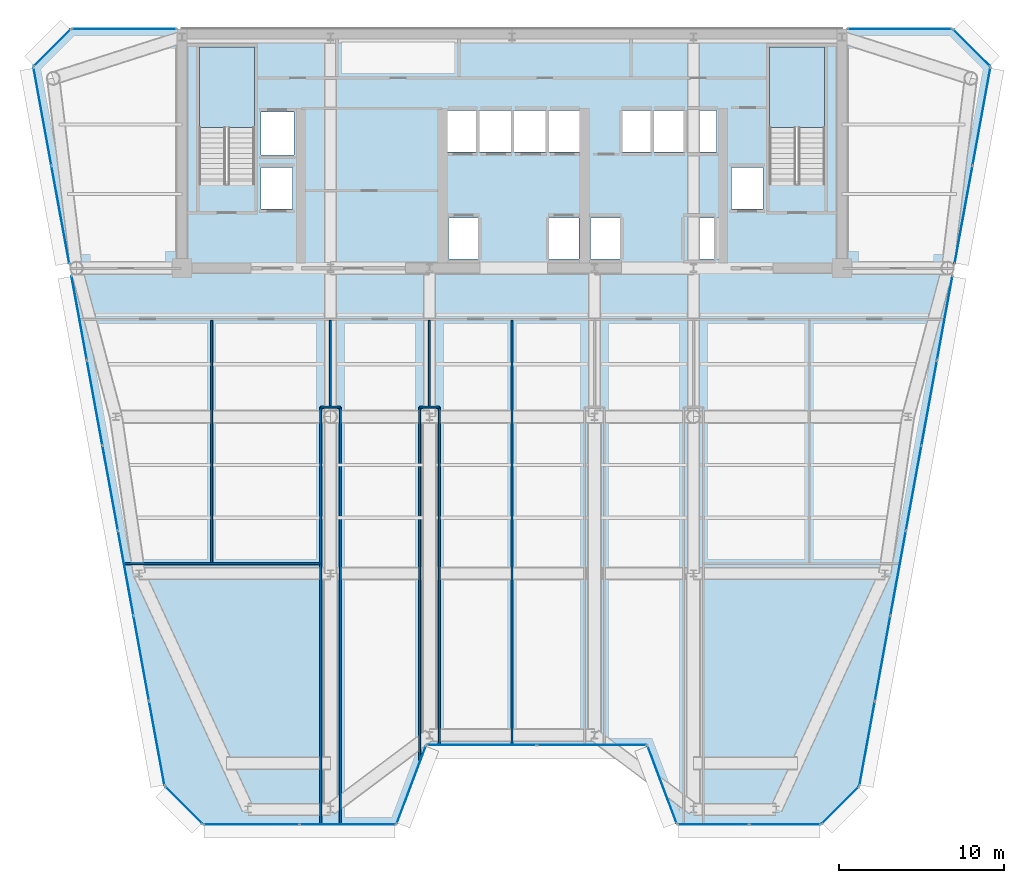
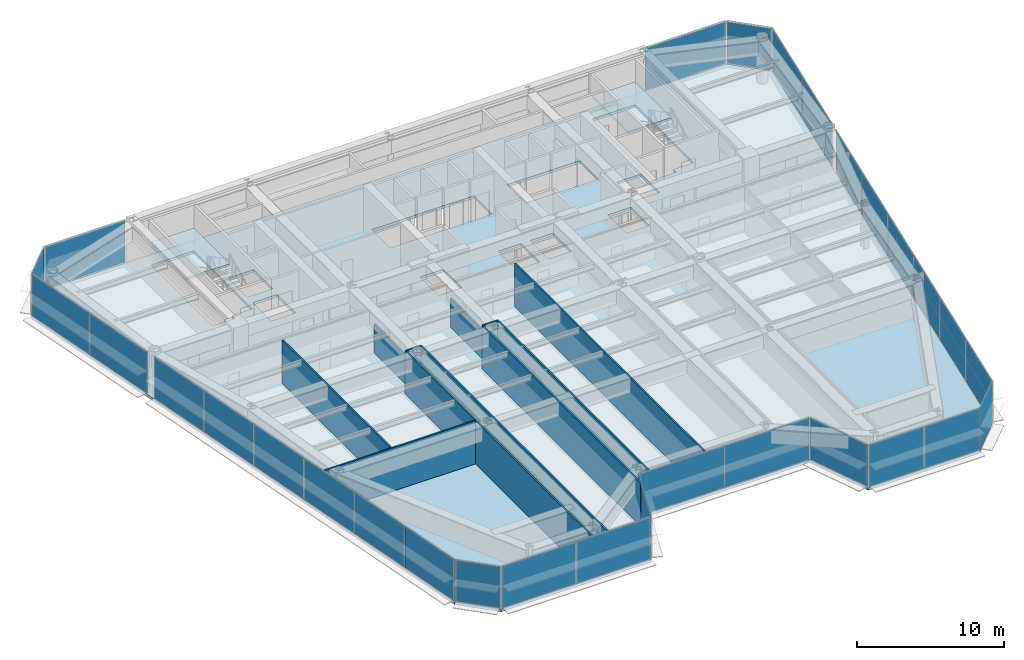
# One storey, part 10 of 17: 30 plates, 11 walls, 3 slabs, 17 elements without a shape of their own.
"""IFC4 building model written with IfcOpenShell, lengths in metres."""

from ifc_helpers import new_model, si_unit, direction, frame, frame_2d, origin, origin_2d, place, context, subcontext, project, spatial, polyline, rectangle, outline, extrude, source, transform, mapped, material, layer, layer_set, type_object, element, aggregate, save


model = new_model("IFC4")

# Units and contexts
model_context = context("Model", 3, precision=1e-05, world=origin(), true_north=direction((0.0, 1.0)))
body_context = subcontext(model_context, "Body", "Model", "MODEL_VIEW")
ifc_project = project(units=[si_unit("LENGTHUNIT", "METRE"), si_unit("AREAUNIT", "SQUARE_METRE"), si_unit("VOLUMEUNIT", "CUBIC_METRE"), si_unit("PLANEANGLEUNIT", "RADIAN"), si_unit("MASSUNIT", "GRAM", prefix="KILO")], contexts=[model_context])

# Site, building, storey
site_placement = place(None, origin())
site = spatial("IfcSite", under=ifc_project, at=site_placement, CompositionType="ELEMENT")
building_placement = place(site_placement, origin())
building = spatial("IfcBuilding", under=site, at=building_placement, Name="Vaeldorn Concourse Tower", CompositionType="ELEMENT")
storey_placement = place(building_placement, frame((0.0, 0.0, 176.60009765625)))
storey = spatial("IfcBuildingStorey", under=building, at=storey_placement, Name="L45", CompositionType="ELEMENT", Elevation=176.60009765625)

# Stair, slab
ifc_material_1 = material(Name="Precast concrete C40/50", Category="concrete")
stair_type = type_object("IfcStairType", Name="STR-DOG-24x158", PredefinedType="HALF_TURN_STAIR", material=ifc_material_1)
stair_1_placement = place(storey_placement, origin())
stair_1 = element("IfcStair", 1, at=stair_1_placement, inside=storey, type_object=stair_type, Name="L45 West Core Exit Stair ST-1", PredefinedType="HALF_TURN_STAIR")
ifc_material_2 = material(Name="Concrete C40/50", Category="concrete")
ifc_layer_1 = layer(ifc_material_2, 0.199951171875)
ifc_layer_set_1 = layer_set([ifc_layer_1], Name="Concrete C40/50")
slab_type_1 = type_object("IfcSlabType", Name="SL-STAIR-LANDING", PredefinedType="LANDING", material=ifc_layer_set_1)
slab_1_placement = place(storey_placement, frame((0.0, 0.0, 1.699951171875)))
slab_1 = element("IfcSlab", 2, at=slab_1_placement, type_object=slab_type_1, Name="ST-1 landing 1", PredefinedType="LANDING", context=body_context, shape_type="SweptSolid", body=[
    extrude(outline(polyline([(18.39990234375, 45.010009765625), (18.39990234375, 49.89990234375), (15.050048828125, 49.89990234375), (15.050048828125, 45.010009765625), (18.39990234375, 45.010009765625)])), origin(), (0.0, 0.0, 1.0), 0.199951171875),
])
aggregate(stair_1, [slab_1])

stair_2_placement = place(storey_placement, origin())
stair_2 = element("IfcStair", 3, at=stair_2_placement, inside=storey, type_object=stair_type, Name="L45 East Core Exit Stair ST-2", PredefinedType="HALF_TURN_STAIR")
slab_2_placement = place(storey_placement, frame((0.0, 0.0, 1.699951171875)))
slab_2 = element("IfcSlab", 4, at=slab_2_placement, type_object=slab_type_1, Name="ST-2 landing 1", PredefinedType="LANDING", context=body_context, shape_type="SweptSolid", body=[
    extrude(outline(polyline([(52.949951171875, 45.010009765625), (52.949951171875, 49.89990234375), (49.60009765625, 49.89990234375), (49.60009765625, 45.010009765625), (52.949951171875, 45.010009765625)])), origin(), (0.0, 0.0, 1.0), 0.199951171875),
])
aggregate(stair_2, [slab_2])

# Slab
ifc_layer_2 = layer(ifc_material_2, 0.219970703125)
ifc_layer_set_2 = layer_set([ifc_layer_2], Name="Concrete C40/50")
slab_type_2 = type_object("IfcSlabType", Name="SL-TYP-220", PredefinedType="FLOOR", material=ifc_layer_set_2)
slab_3_placement = place(storey_placement, frame((0.0, 0.0, -0.22021484375)))
element("IfcSlab", 5, at=slab_3_placement, inside=storey, type_object=slab_type_2, Name="Structural Floor Slab L45", PredefinedType="FLOOR", context=body_context, shape_type="SweptSolid", body=[
    extrude(outline(polyline([(15.2529296875, 2.800048828125), (27.0, 2.800048828125), (28.800048828125, 7.60009765625), (42.199951171875, 7.60009765625), (44.0, 2.800048828125), (52.7470703125, 2.800048828125), (55.047119140625, 5.10009765625), (63.0, 48.699951171875), (60.699951171875, 51.0), (7.300048828125, 51.0), (5.0, 48.699951171875), (12.952880859375, 5.10009765625), (15.2529296875, 2.800048828125)]), holes=[polyline([(18.39990234375, 42.0), (18.39990234375, 49.89990234375), (15.050048828125, 49.89990234375), (15.050048828125, 41.60009765625), (16.800048828125, 41.60009765625), (16.800048828125, 42.0), (18.39990234375, 42.0)]), polyline([(52.949951171875, 42.0), (52.949951171875, 49.89990234375), (49.60009765625, 49.89990234375), (49.60009765625, 41.60009765625), (51.35009765625, 41.60009765625), (51.35009765625, 42.0), (52.949951171875, 42.0)]), polyline([(30.14990234375, 37.050048828125), (31.949951171875, 37.050048828125), (31.949951171875, 39.550048828125), (30.14990234375, 39.550048828125), (30.14990234375, 37.050048828125)]), polyline([(36.25, 37.050048828125), (38.050048828125, 37.050048828125), (38.050048828125, 39.550048828125), (36.25, 39.550048828125), (36.25, 37.050048828125)]), polyline([(30.10009765625, 43.550048828125), (38.10009765625, 43.550048828125), (38.10009765625, 46.050048828125), (30.10009765625, 46.050048828125), (30.10009765625, 43.550048828125)]), polyline([(38.75, 37.050048828125), (40.550048828125, 37.050048828125), (40.550048828125, 39.550048828125), (38.75, 39.550048828125), (38.75, 37.050048828125)]), polyline([(44.85009765625, 37.050048828125), (46.64990234375, 37.050048828125), (46.64990234375, 39.550048828125), (44.85009765625, 39.550048828125), (44.85009765625, 37.050048828125)]), polyline([(40.699951171875, 43.550048828125), (46.39990234375, 43.550048828125), (46.39990234375, 46.050048828125), (40.699951171875, 46.050048828125), (40.699951171875, 43.550048828125)]), polyline([(18.800048828125, 43.35009765625), (20.800048828125, 43.35009765625), (20.800048828125, 45.949951171875), (18.800048828125, 45.949951171875), (18.800048828125, 43.35009765625)]), polyline([(18.800048828125, 40.10009765625), (20.699951171875, 40.10009765625), (20.699951171875, 42.60009765625), (18.800048828125, 42.60009765625), (18.800048828125, 40.10009765625)]), polyline([(47.300048828125, 40.10009765625), (49.199951171875, 40.10009765625), (49.199951171875, 42.60009765625), (47.300048828125, 42.60009765625), (47.300048828125, 40.10009765625)])]), origin(), (0.0, 0.0, 1.0), 0.22021484375),
])

# Curtain wall, plate
ifc_material_3 = material(Name="Anodised Bronze Aluminium", Category="aluminium")
ifc_layer_3 = layer(ifc_material_3, 0.18994140625)
ifc_layer_set_3 = layer_set([ifc_layer_3], Name="Anodised Bronze Aluminium")
curtain_wall_type = type_object("IfcCurtainWallType", Name="CW-SYS-03", PredefinedType="NOTDEFINED", material=ifc_layer_set_3)
curtain_wall_1_placement = place(storey_placement, origin())
curtain_wall_1 = element("IfcCurtainWall", 6, at=curtain_wall_1_placement, inside=storey, type_object=curtain_wall_type, Name="Unitised Curtain Wall CW-L45-E02-1", PredefinedType="NOTDEFINED")
ifc_material_4 = material(Name="Bronze Tinted Low-E Insulated Glass", Category="glass")
ifc_layer_4 = layer(ifc_material_4, 0.031982421875)
ifc_layer_set_4 = layer_set([ifc_layer_4], Name="Bronze Tinted Low-E Insulated Glass")
plate_type = type_object("IfcPlateType", Name="CWP-VISION-32", PredefinedType="CURTAIN_PANEL", material=ifc_layer_set_4)
shared_shape_1 = source(origin(), body_context, "Body", "SweptSolid", [
    extrude(rectangle(XDim=4.996337890625, YDim=0.031982421875, at=origin_2d()), origin(), (0.0, 0.0, 1.0), 3.449951171875),
])
plate_1_placement = place(storey_placement, frame((27.89990234375, 5.199951171875, 0.06494140625), z_axis=(0.0, 0.0, 1.0), x_axis=(0.351123441595, 0.936329177566, 0.0)))
plate_1 = element("IfcPlate", 7, at=plate_1_placement, type_object=plate_type, Name="CW-03 panel 1.1", PredefinedType="CURTAIN_PANEL", context=body_context, shape_type="MappedRepresentation", body=[
    mapped(shared_shape_1, transform((0.0, 0.0, 0.0), scale=1.0)),
])
aggregate(curtain_wall_1, [plate_1])

curtain_wall_2_placement = place(storey_placement, origin())
curtain_wall_2 = element("IfcCurtainWall", 8, at=curtain_wall_2_placement, inside=storey, type_object=curtain_wall_type, Name="Unitised Curtain Wall CW-L45-E04-1", PredefinedType="NOTDEFINED")
plate_2_placement = place(storey_placement, frame((43.10009765625, 5.199951171875, 0.06494140625), z_axis=(0.0, 0.0, 1.0), x_axis=(0.351123441595, -0.936329177566, 0.0)))
plate_2 = element("IfcPlate", 9, at=plate_2_placement, type_object=plate_type, Name="CW-03 panel 1.1", PredefinedType="CURTAIN_PANEL", context=body_context, shape_type="MappedRepresentation", body=[
    mapped(shared_shape_1, transform((0.0, 0.0, 0.0), scale=1.0)),
])
aggregate(curtain_wall_2, [plate_2])

# Curtain wall, plates
curtain_wall_3_placement = place(storey_placement, origin())
curtain_wall_3 = element("IfcCurtainWall", 10, at=curtain_wall_3_placement, inside=storey, type_object=curtain_wall_type, Name="Unitised Curtain Wall CW-L45-E03-1", PredefinedType="NOTDEFINED")
shared_shape_2 = source(origin(), body_context, "Body", "SweptSolid", [
    extrude(rectangle(XDim=6.6025390625, YDim=0.031982421875, at=origin_2d()), origin(), (0.0, 0.0, 1.0), 3.449951171875),
])
plate_3_placement = place(storey_placement, frame((32.166259765625, 7.60009765625, 0.06494140625), z_axis=(0.0, 0.0, 1.0), x_axis=(1.0, 0.0, 0.0)))
plate_3 = element("IfcPlate", 11, at=plate_3_placement, type_object=plate_type, Name="CW-03 panel 1.1", PredefinedType="CURTAIN_PANEL", context=body_context, shape_type="MappedRepresentation", body=[
    mapped(shared_shape_2, transform((0.0, 0.0, 0.0), scale=1.0)),
])
plate_4_placement = place(storey_placement, frame((38.833740234375, 7.60009765625, 0.06494140625), z_axis=(0.0, 0.0, 1.0), x_axis=(1.0, 0.0, 0.0)))
plate_4 = element("IfcPlate", 12, at=plate_4_placement, type_object=plate_type, Name="CW-03 panel 2.1", PredefinedType="CURTAIN_PANEL", context=body_context, shape_type="MappedRepresentation", body=[
    mapped(shared_shape_2, transform((0.0, 0.0, 0.0), scale=1.0)),
])
aggregate(curtain_wall_3, [plate_3, plate_4])

# Curtain wall, plate
curtain_wall_4_placement = place(storey_placement, origin())
curtain_wall_4 = element("IfcCurtainWall", 13, at=curtain_wall_4_placement, inside=storey, type_object=curtain_wall_type, Name="Unitised Curtain Wall CW-L45-E06-1", PredefinedType="NOTDEFINED")
shared_shape_3 = source(origin(), body_context, "Body", "SweptSolid", [
    extrude(rectangle(XDim=3.122802734375, YDim=0.031982421875, at=origin_2d()), origin(), (0.0, 0.0, 1.0), 3.449951171875),
])
plate_5_placement = place(storey_placement, frame((53.89697265625, 3.949951171875, 0.06494140625), z_axis=(0.0, 0.0, 1.0), x_axis=(0.707106781187, 0.707106781187, 0.0)))
plate_5 = element("IfcPlate", 14, at=plate_5_placement, type_object=plate_type, Name="CW-03 panel 1.1", PredefinedType="CURTAIN_PANEL", context=body_context, shape_type="MappedRepresentation", body=[
    mapped(shared_shape_3, transform((0.0, 0.0, 0.0), scale=1.0)),
])
aggregate(curtain_wall_4, [plate_5])

curtain_wall_5_placement = place(storey_placement, origin())
curtain_wall_5 = element("IfcCurtainWall", 15, at=curtain_wall_5_placement, inside=storey, type_object=curtain_wall_type, Name="Unitised Curtain Wall CW-L45-E08-1", PredefinedType="NOTDEFINED")
plate_6_placement = place(storey_placement, frame((61.85009765625, 49.85009765625, 0.06494140625), z_axis=(0.0, 0.0, 1.0), x_axis=(-0.707106781187, 0.707106781187, 0.0)))
plate_6 = element("IfcPlate", 16, at=plate_6_placement, type_object=plate_type, Name="CW-03 panel 1.1", PredefinedType="CURTAIN_PANEL", context=body_context, shape_type="MappedRepresentation", body=[
    mapped(shared_shape_3, transform((0.0, 0.0, 0.0), scale=1.0)),
])
aggregate(curtain_wall_5, [plate_6])

curtain_wall_6_placement = place(storey_placement, origin())
curtain_wall_6 = element("IfcCurtainWall", 17, at=curtain_wall_6_placement, inside=storey, type_object=curtain_wall_type, Name="Unitised Curtain Wall CW-L45-E10-1", PredefinedType="NOTDEFINED")
plate_7_placement = place(storey_placement, frame((6.14990234375, 49.85009765625, 0.06494140625), z_axis=(0.0, 0.0, 1.0), x_axis=(-0.707106781187, -0.707106781187, 0.0)))
plate_7 = element("IfcPlate", 18, at=plate_7_placement, type_object=plate_type, Name="CW-03 panel 1.1", PredefinedType="CURTAIN_PANEL", context=body_context, shape_type="MappedRepresentation", body=[
    mapped(shared_shape_3, transform((0.0, 0.0, 0.0), scale=1.0)),
])
aggregate(curtain_wall_6, [plate_7])

curtain_wall_7_placement = place(storey_placement, origin())
curtain_wall_7 = element("IfcCurtainWall", 19, at=curtain_wall_7_placement, inside=storey, type_object=curtain_wall_type, Name="Unitised Curtain Wall CW-L45-E12-1", PredefinedType="NOTDEFINED")
plate_8_placement = place(storey_placement, frame((14.10302734375, 3.949951171875, 0.06494140625), z_axis=(0.0, 0.0, 1.0), x_axis=(0.707106781187, -0.707106781187, 0.0)))
plate_8 = element("IfcPlate", 20, at=plate_8_placement, type_object=plate_type, Name="CW-03 panel 1.1", PredefinedType="CURTAIN_PANEL", context=body_context, shape_type="MappedRepresentation", body=[
    mapped(shared_shape_3, transform((0.0, 0.0, 0.0), scale=1.0)),
])
aggregate(curtain_wall_7, [plate_8])

# Curtain wall, plates
curtain_wall_8_placement = place(storey_placement, origin())
curtain_wall_8 = element("IfcCurtainWall", 21, at=curtain_wall_8_placement, inside=storey, type_object=curtain_wall_type, Name="Unitised Curtain Wall CW-L45-E01-1", PredefinedType="NOTDEFINED")
shared_shape_4 = source(origin(), body_context, "Body", "SweptSolid", [
    extrude(rectangle(XDim=5.77587890625, YDim=0.031982421875, at=origin_2d()), origin(), (0.0, 0.0, 1.0), 3.449951171875),
])
plate_9_placement = place(storey_placement, frame((18.2060546875, 2.800048828125, 0.06494140625), z_axis=(0.0, 0.0, 1.0), x_axis=(1.0, 0.0, 0.0)))
plate_9 = element("IfcPlate", 22, at=plate_9_placement, type_object=plate_type, Name="CW-03 panel 1.1", PredefinedType="CURTAIN_PANEL", context=body_context, shape_type="MappedRepresentation", body=[
    mapped(shared_shape_4, transform((0.0, 0.0, 0.0), scale=1.0)),
])
plate_10_placement = place(storey_placement, frame((24.047119140625, 2.800048828125, 0.06494140625), z_axis=(0.0, 0.0, 1.0), x_axis=(1.0, 0.0, 0.0)))
plate_10 = element("IfcPlate", 23, at=plate_10_placement, type_object=plate_type, Name="CW-03 panel 2.1", PredefinedType="CURTAIN_PANEL", context=body_context, shape_type="MappedRepresentation", body=[
    mapped(shared_shape_4, transform((0.0, 0.0, 0.0), scale=1.0)),
])
aggregate(curtain_wall_8, [plate_9, plate_10])

curtain_wall_9_placement = place(storey_placement, origin())
curtain_wall_9 = element("IfcCurtainWall", 24, at=curtain_wall_9_placement, inside=storey, type_object=curtain_wall_type, Name="Unitised Curtain Wall CW-L45-E05-1", PredefinedType="NOTDEFINED")
shared_shape_5 = source(origin(), body_context, "Body", "SweptSolid", [
    extrude(rectangle(XDim=4.27587890625, YDim=0.031982421875, at=origin_2d()), origin(), (0.0, 0.0, 1.0), 3.449951171875),
])
plate_11_placement = place(storey_placement, frame((46.202880859375, 2.800048828125, 0.06494140625), z_axis=(0.0, 0.0, 1.0), x_axis=(1.0, 0.0, 0.0)))
plate_11 = element("IfcPlate", 25, at=plate_11_placement, type_object=plate_type, Name="CW-03 panel 1.1", PredefinedType="CURTAIN_PANEL", context=body_context, shape_type="MappedRepresentation", body=[
    mapped(shared_shape_5, transform((0.0, 0.0, 0.0), scale=1.0)),
])
plate_12_placement = place(storey_placement, frame((50.5439453125, 2.800048828125, 0.06494140625), z_axis=(0.0, 0.0, 1.0), x_axis=(1.0, 0.0, 0.0)))
plate_12 = element("IfcPlate", 26, at=plate_12_placement, type_object=plate_type, Name="CW-03 panel 2.1", PredefinedType="CURTAIN_PANEL", context=body_context, shape_type="MappedRepresentation", body=[
    mapped(shared_shape_5, transform((0.0, 0.0, 0.0), scale=1.0)),
])
aggregate(curtain_wall_9, [plate_11, plate_12])

curtain_wall_10_placement = place(storey_placement, origin())
curtain_wall_10 = element("IfcCurtainWall", 27, at=curtain_wall_10_placement, inside=storey, type_object=curtain_wall_type, Name="Unitised Curtain Wall CW-L45-E07-1", PredefinedType="NOTDEFINED")
shared_shape_6 = source(origin(), body_context, "Body", "SweptSolid", [
    extrude(rectangle(XDim=5.151611328125, YDim=0.031982421875, at=origin_2d()), origin(), (0.0, 0.0, 1.0), 3.449951171875),
])
plate_13_placement = place(storey_placement, frame((55.52099609375, 7.697998046875, 0.06494140625), z_axis=(0.0, 0.0, 1.0), x_axis=(0.179445909331, 0.983767841325, 0.0)))
plate_13 = element("IfcPlate", 28, at=plate_13_placement, type_object=plate_type, Name="CW-03 panel 1.1", PredefinedType="CURTAIN_PANEL", context=body_context, shape_type="MappedRepresentation", body=[
    mapped(shared_shape_6, transform((0.0, 0.0, 0.0), scale=1.0)),
])
plate_14_placement = place(storey_placement, frame((60.224609375, 33.485595703125, 0.06494140625), z_axis=(0.0, 0.0, 1.0), x_axis=(0.179445909331, 0.983767841325, 0.0)))
plate_14 = element("IfcPlate", 29, at=plate_14_placement, type_object=plate_type, Name="CW-03 panel 6.1", PredefinedType="CURTAIN_PANEL", context=body_context, shape_type="MappedRepresentation", body=[
    mapped(shared_shape_6, transform((0.0, 0.0, 0.0), scale=1.0)),
])

curtain_wall_11_placement = place(storey_placement, origin())
curtain_wall_11 = element("IfcCurtainWall", 30, at=curtain_wall_11_placement, inside=storey, type_object=curtain_wall_type, Name="Unitised Curtain Wall CW-L45-E11-2", PredefinedType="NOTDEFINED")
plate_15_placement = place(storey_placement, frame((7.775390625, 33.485595703125, 0.06494140625), z_axis=(0.0, 0.0, 1.0), x_axis=(0.179445909331, -0.983767841325, 0.0)))
plate_15 = element("IfcPlate", 31, at=plate_15_placement, type_object=plate_type, Name="CW-03 panel 1.1", PredefinedType="CURTAIN_PANEL", context=body_context, shape_type="MappedRepresentation", body=[
    mapped(shared_shape_6, transform((0.0, 0.0, 0.0), scale=1.0)),
])
plate_16_placement = place(storey_placement, frame((12.47900390625, 7.697998046875, 0.06494140625), z_axis=(0.0, 0.0, 1.0), x_axis=(0.179445909331, -0.983767841325, 0.0)))
plate_16 = element("IfcPlate", 32, at=plate_16_placement, type_object=plate_type, Name="CW-03 panel 6.1", PredefinedType="CURTAIN_PANEL", context=body_context, shape_type="MappedRepresentation", body=[
    mapped(shared_shape_6, transform((0.0, 0.0, 0.0), scale=1.0)),
])

# Plate
shared_shape_7 = source(origin(), body_context, "Body", "SweptSolid", [
    extrude(rectangle(XDim=5.18408203125, YDim=0.031982421875, at=origin_2d()), origin(), (0.0, 0.0, 1.0), 3.449951171875),
])
plate_17_placement = place(storey_placement, frame((56.4599609375, 12.845947265625, 0.06494140625), z_axis=(0.0, 0.0, 1.0), x_axis=(0.179445909331, 0.983767841325, 0.0)))
plate_17 = element("IfcPlate", 33, at=plate_17_placement, type_object=plate_type, Name="CW-03 panel 2.1", PredefinedType="CURTAIN_PANEL", context=body_context, shape_type="MappedRepresentation", body=[
    mapped(shared_shape_7, transform((0.0, 0.0, 0.0), scale=1.0)),
])

plate_18_placement = place(storey_placement, frame((57.40185546875, 18.009765625, 0.06494140625), z_axis=(0.0, 0.0, 1.0), x_axis=(0.179445909331, 0.983767841325, 0.0)))
plate_18 = element("IfcPlate", 34, at=plate_18_placement, type_object=plate_type, Name="CW-03 panel 3.1", PredefinedType="CURTAIN_PANEL", context=body_context, shape_type="MappedRepresentation", body=[
    mapped(shared_shape_7, transform((0.0, 0.0, 0.0), scale=1.0)),
])

plate_19_placement = place(storey_placement, frame((58.34375, 23.173828125, 0.06494140625), z_axis=(0.0, 0.0, 1.0), x_axis=(0.179445909331, 0.983767841325, 0.0)))
plate_19 = element("IfcPlate", 35, at=plate_19_placement, type_object=plate_type, Name="CW-03 panel 4.1", PredefinedType="CURTAIN_PANEL", context=body_context, shape_type="MappedRepresentation", body=[
    mapped(shared_shape_7, transform((0.0, 0.0, 0.0), scale=1.0)),
])

plate_20_placement = place(storey_placement, frame((59.28564453125, 28.337646484375, 0.06494140625), z_axis=(0.0, 0.0, 1.0), x_axis=(0.179445909331, 0.983767841325, 0.0)))
plate_20 = element("IfcPlate", 36, at=plate_20_placement, type_object=plate_type, Name="CW-03 panel 5.1", PredefinedType="CURTAIN_PANEL", context=body_context, shape_type="MappedRepresentation", body=[
    mapped(shared_shape_7, transform((0.0, 0.0, 0.0), scale=1.0)),
])

aggregate(curtain_wall_10, [plate_13, plate_17, plate_18, plate_19, plate_20, plate_14])

plate_21_placement = place(storey_placement, frame((8.71435546875, 28.337646484375, 0.06494140625), z_axis=(0.0, 0.0, 1.0), x_axis=(0.179445909331, -0.983767841325, 0.0)))
plate_21 = element("IfcPlate", 37, at=plate_21_placement, type_object=plate_type, Name="CW-03 panel 2.1", PredefinedType="CURTAIN_PANEL", context=body_context, shape_type="MappedRepresentation", body=[
    mapped(shared_shape_7, transform((0.0, 0.0, 0.0), scale=1.0)),
])

plate_22_placement = place(storey_placement, frame((9.65625, 23.173828125, 0.06494140625), z_axis=(0.0, 0.0, 1.0), x_axis=(0.179445909331, -0.983767841325, 0.0)))
plate_22 = element("IfcPlate", 38, at=plate_22_placement, type_object=plate_type, Name="CW-03 panel 3.1", PredefinedType="CURTAIN_PANEL", context=body_context, shape_type="MappedRepresentation", body=[
    mapped(shared_shape_7, transform((0.0, 0.0, 0.0), scale=1.0)),
])

plate_23_placement = place(storey_placement, frame((10.59814453125, 18.009765625, 0.06494140625), z_axis=(0.0, 0.0, 1.0), x_axis=(0.179445909331, -0.983767841325, 0.0)))
plate_23 = element("IfcPlate", 39, at=plate_23_placement, type_object=plate_type, Name="CW-03 panel 4.1", PredefinedType="CURTAIN_PANEL", context=body_context, shape_type="MappedRepresentation", body=[
    mapped(shared_shape_7, transform((0.0, 0.0, 0.0), scale=1.0)),
])

plate_24_placement = place(storey_placement, frame((11.5400390625, 12.845947265625, 0.06494140625), z_axis=(0.0, 0.0, 1.0), x_axis=(0.179445909331, -0.983767841325, 0.0)))
plate_24 = element("IfcPlate", 40, at=plate_24_placement, type_object=plate_type, Name="CW-03 panel 5.1", PredefinedType="CURTAIN_PANEL", context=body_context, shape_type="MappedRepresentation", body=[
    mapped(shared_shape_7, transform((0.0, 0.0, 0.0), scale=1.0)),
])

aggregate(curtain_wall_11, [plate_15, plate_21, plate_22, plate_23, plate_24, plate_16])

# Curtain wall, plates
curtain_wall_12_placement = place(storey_placement, origin())
curtain_wall_12 = element("IfcCurtainWall", 41, at=curtain_wall_12_placement, inside=storey, type_object=curtain_wall_type, Name="Unitised Curtain Wall CW-L45-E07-2", PredefinedType="NOTDEFINED")
shared_shape_8 = source(origin(), body_context, "Body", "SweptSolid", [
    extrude(rectangle(XDim=5.986572265625, YDim=0.031982421875, at=origin_2d()), origin(), (0.0, 0.0, 1.0), 3.449951171875),
])
plate_25_placement = place(storey_placement, frame((61.365234375, 39.73828125, 0.06494140625), z_axis=(0.0, 0.0, 1.0), x_axis=(0.179447345892, 0.983767579285, 0.0)))
plate_25 = element("IfcPlate", 42, at=plate_25_placement, type_object=plate_type, Name="CW-03 panel 1.1", PredefinedType="CURTAIN_PANEL", context=body_context, shape_type="MappedRepresentation", body=[
    mapped(shared_shape_8, transform((0.0, 0.0, 0.0), scale=1.0)),
])
plate_26_placement = place(storey_placement, frame((62.451171875, 45.69140625, 0.06494140625), z_axis=(0.0, 0.0, 1.0), x_axis=(0.179447345892, 0.983767579285, 0.0)))
plate_26 = element("IfcPlate", 43, at=plate_26_placement, type_object=plate_type, Name="CW-03 panel 2.1", PredefinedType="CURTAIN_PANEL", context=body_context, shape_type="MappedRepresentation", body=[
    mapped(shared_shape_8, transform((0.0, 0.0, 0.0), scale=1.0)),
])
aggregate(curtain_wall_12, [plate_25, plate_26])

curtain_wall_13_placement = place(storey_placement, origin())
curtain_wall_13 = element("IfcCurtainWall", 44, at=curtain_wall_13_placement, inside=storey, type_object=curtain_wall_type, Name="Unitised Curtain Wall CW-L45-E11-1", PredefinedType="NOTDEFINED")
plate_27_placement = place(storey_placement, frame((5.548828125, 45.69140625, 0.06494140625), z_axis=(0.0, 0.0, 1.0), x_axis=(0.179447345892, -0.983767579285, 0.0)))
plate_27 = element("IfcPlate", 45, at=plate_27_placement, type_object=plate_type, Name="CW-03 panel 1.1", PredefinedType="CURTAIN_PANEL", context=body_context, shape_type="MappedRepresentation", body=[
    mapped(shared_shape_8, transform((0.0, 0.0, 0.0), scale=1.0)),
])
plate_28_placement = place(storey_placement, frame((6.634765625, 39.73828125, 0.06494140625), z_axis=(0.0, 0.0, 1.0), x_axis=(0.179447345892, -0.983767579285, 0.0)))
plate_28 = element("IfcPlate", 46, at=plate_28_placement, type_object=plate_type, Name="CW-03 panel 2.1", PredefinedType="CURTAIN_PANEL", context=body_context, shape_type="MappedRepresentation", body=[
    mapped(shared_shape_8, transform((0.0, 0.0, 0.0), scale=1.0)),
])
aggregate(curtain_wall_13, [plate_27, plate_28])

# Curtain wall, plate
curtain_wall_14_placement = place(storey_placement, origin())
curtain_wall_14 = element("IfcCurtainWall", 47, at=curtain_wall_14_placement, inside=storey, type_object=curtain_wall_type, Name="Unitised Curtain Wall CW-L45-E09-1", PredefinedType="NOTDEFINED")
shared_shape_9 = source(origin(), body_context, "Body", "SweptSolid", [
    extrude(rectangle(XDim=6.27490234375, YDim=0.031982421875, at=origin_2d()), origin(), (0.0, 0.0, 1.0), 3.449951171875),
])
plate_29_placement = place(storey_placement, frame((57.49755859375, 51.0, 0.06494140625), z_axis=(0.0, 0.0, 1.0), x_axis=(-1.0, 0.0, 0.0)))
plate_29 = element("IfcPlate", 48, at=plate_29_placement, type_object=plate_type, Name="CW-03 panel 1.1", PredefinedType="CURTAIN_PANEL", context=body_context, shape_type="MappedRepresentation", body=[
    mapped(shared_shape_9, transform((0.0, 0.0, 0.0), scale=1.0)),
])
aggregate(curtain_wall_14, [plate_29])

curtain_wall_15_placement = place(storey_placement, origin())
curtain_wall_15 = element("IfcCurtainWall", 49, at=curtain_wall_15_placement, inside=storey, type_object=curtain_wall_type, Name="Unitised Curtain Wall CW-L45-E09-2", PredefinedType="NOTDEFINED")
plate_30_placement = place(storey_placement, frame((10.50244140625, 51.0, 0.06494140625), z_axis=(0.0, 0.0, 1.0), x_axis=(-1.0, 0.0, 0.0)))
plate_30 = element("IfcPlate", 50, at=plate_30_placement, type_object=plate_type, Name="CW-03 panel 1.1", PredefinedType="CURTAIN_PANEL", context=body_context, shape_type="MappedRepresentation", body=[
    mapped(shared_shape_9, transform((0.0, 0.0, 0.0), scale=1.0)),
])
aggregate(curtain_wall_15, [plate_30])

# Walls
ifc_material_5 = material(Name="Gypsum Board Partition", Category="gypsum")
ifc_layer_5 = layer(ifc_material_5, 0.1201171875)
ifc_layer_set_5 = layer_set([ifc_layer_5], Name="Gypsum Board Partition")
wall_type = type_object("IfcWallType", Name="WL-PART-120", PredefinedType="PARTITIONING", material=ifc_layer_set_5)
wall_1_placement = place(storey_placement, frame((10.530517578125, 18.60009765625, 0.0), z_axis=(0.0, 0.0, 1.0), x_axis=(1.0, 0.0, 0.0)))
element("IfcWall", 51, at=wall_1_placement, inside=storey, type_object=wall_type, Name="Interior Wall PW-L45-FLW", PredefinedType="PARTITIONING", context=body_context, shape_type="SweptSolid", body=[
    extrude(rectangle(XDim=11.82958984375, YDim=0.1201171875, at=frame_2d((5.914794921875, 0.0))), origin(), (0.0, 0.0, 1.0), 3.579833984375),
])
for number, where, z_axis, x_axis, name in (
    (52, (22.39990234375, 2.840087890625, 0.0), (0.0, 0.0, 1.0), (0.0, 1.0, 0.0), "Interior Wall PW-L45-SB1W"),
    (53, (23.60009765625, 2.840087890625, 0.0), (0.0, 0.0, 1.0), (0.0, 1.0, 0.0), "Interior Wall PW-L45-SB1E"),
):
    element("IfcWall", number, at=place(storey_placement, frame(where, z_axis=z_axis, x_axis=x_axis)), inside=storey, type_object=wall_type, Name=name, PredefinedType="PARTITIONING", context=body_context, shape_type="SweptSolid", body=[
        extrude(rectangle(XDim=25.239990234375, YDim=0.1201171875, at=frame_2d((12.6201171875, 0.0))), origin(), (0.0, 0.0, 1.0), 3.579833984375),
    ])
wall_2_placement = place(storey_placement, frame((22.39990234375, 28.080078125, 0.0), z_axis=(0.0, 0.0, 1.0), x_axis=(1.0, 0.0, 0.0)))
element("IfcWall", 54, at=wall_2_placement, inside=storey, type_object=wall_type, Name="Interior Wall PW-L45-SB1N", PredefinedType="PARTITIONING", context=body_context, shape_type="SweptSolid", body=[
    extrude(rectangle(XDim=1.2001953125, YDim=0.1201171875, at=frame_2d((0.60009765625, 0.0))), origin(), (0.0, 0.0, 1.0), 3.579833984375),
])
wall_3_placement = place(storey_placement, frame((23.0, 28.139892578125, 0.0), z_axis=(0.0, 0.0, 1.0), x_axis=(0.0, 1.0, 0.0)))
element("IfcWall", 55, at=wall_3_placement, inside=storey, type_object=wall_type, Name="Interior Wall PW-L45-SBP1", PredefinedType="PARTITIONING", context=body_context, shape_type="SweptSolid", body=[
    extrude(rectangle(XDim=5.2001953125, YDim=0.1201171875, at=frame_2d((2.60009765625, 0.0))), origin(), (0.0, 0.0, 1.0), 2.369873046875),
])
wall_4_placement = place(storey_placement, frame((28.39990234375, 6.5732421875, 0.0), z_axis=(0.0, 0.0, 1.0), x_axis=(0.0, 1.0, 0.0)))
element("IfcWall", 56, at=wall_4_placement, inside=storey, type_object=wall_type, Name="Interior Wall PW-L45-SB2W", PredefinedType="PARTITIONING", context=body_context, shape_type="SweptSolid", body=[
    extrude(rectangle(XDim=21.5068359375, YDim=0.1201171875, at=frame_2d((10.75341796875, 0.0))), origin(), (0.0, 0.0, 1.0), 3.579833984375),
])
wall_5_placement = place(storey_placement, frame((29.60009765625, 7.639892578125, 0.0), z_axis=(0.0, 0.0, 1.0), x_axis=(0.0, 1.0, 0.0)))
element("IfcWall", 57, at=wall_5_placement, inside=storey, type_object=wall_type, Name="Interior Wall PW-L45-SB2E", PredefinedType="PARTITIONING", context=body_context, shape_type="SweptSolid", body=[
    extrude(rectangle(XDim=20.440185546875, YDim=0.1201171875, at=frame_2d((10.22021484375, 0.0))), origin(), (0.0, 0.0, 1.0), 3.579833984375),
])
wall_6_placement = place(storey_placement, frame((28.39990234375, 28.080078125, 0.0), z_axis=(0.0, 0.0, 1.0), x_axis=(1.0, 0.0, 0.0)))
element("IfcWall", 58, at=wall_6_placement, inside=storey, type_object=wall_type, Name="Interior Wall PW-L45-SB2N", PredefinedType="PARTITIONING", context=body_context, shape_type="SweptSolid", body=[
    extrude(rectangle(XDim=1.2001953125, YDim=0.1201171875, at=frame_2d((0.60009765625, 0.0))), origin(), (0.0, 0.0, 1.0), 3.579833984375),
])
wall_7_placement = place(storey_placement, frame((29.0, 28.139892578125, 0.0), z_axis=(0.0, 0.0, 1.0), x_axis=(0.0, 1.0, 0.0)))
element("IfcWall", 59, at=wall_7_placement, inside=storey, type_object=wall_type, Name="Interior Wall PW-L45-SBP2", PredefinedType="PARTITIONING", context=body_context, shape_type="SweptSolid", body=[
    extrude(rectangle(XDim=5.2001953125, YDim=0.1201171875, at=frame_2d((2.60009765625, 0.0))), origin(), (0.0, 0.0, 1.0), 2.369873046875),
])
wall_8_placement = place(storey_placement, frame((15.800048828125, 18.639892578125, 0.0), z_axis=(0.0, 0.0, 1.0), x_axis=(0.0, 1.0, 0.0)))
element("IfcWall", 60, at=wall_8_placement, inside=storey, type_object=wall_type, Name="Interior Wall PW-L45-SBX1", PredefinedType="PARTITIONING", context=body_context, shape_type="SweptSolid", body=[
    extrude(rectangle(XDim=14.7001953125, YDim=0.1201171875, at=frame_2d((7.35009765625, 0.0))), origin(), (0.0, 0.0, 1.0), 3.579833984375),
])
wall_9_placement = place(storey_placement, frame((34.0, 7.639892578125, 0.0), z_axis=(0.0, 0.0, 1.0), x_axis=(0.0, 1.0, 0.0)))
element("IfcWall", 61, at=wall_9_placement, inside=storey, type_object=wall_type, Name="Interior Wall PW-L45-SBX4", PredefinedType="PARTITIONING", context=body_context, shape_type="SweptSolid", body=[
    extrude(rectangle(XDim=25.7001953125, YDim=0.1201171875, at=frame_2d((12.85009765625, 0.0))), origin(), (0.0, 0.0, 1.0), 3.579833984375),
])

save(model, "model.ifc")
